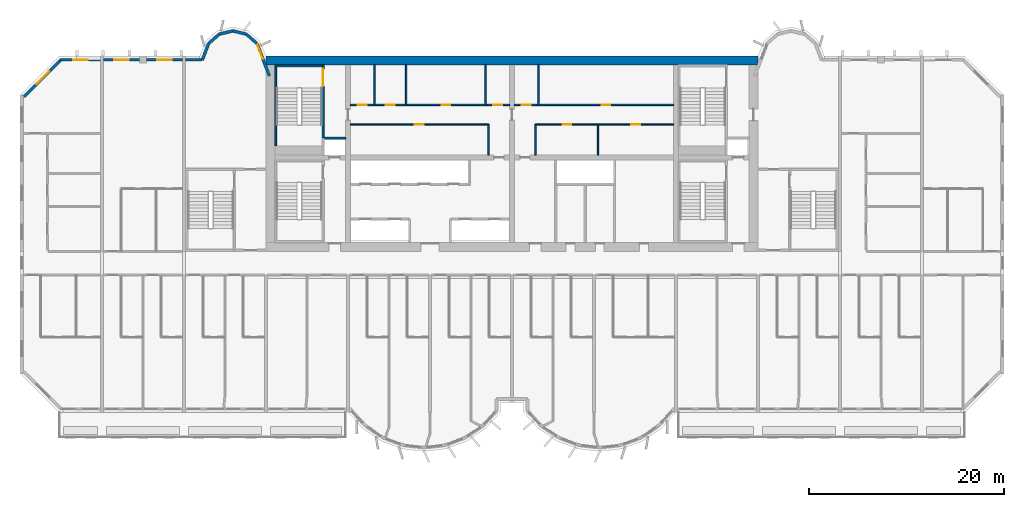
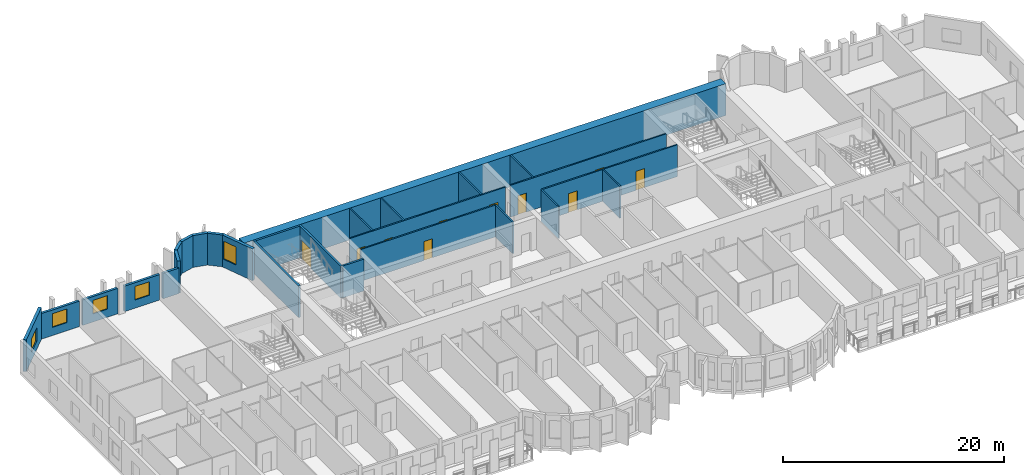
# One storey, part 7 of 14: 27 walls, 10 doors, 5 windows, 15 openings.
"""IFC4 building model written with IfcOpenShell, lengths in metres."""

import ifcopenshell
import ifcopenshell.guid

model = None  # the IFC model being written
_history = None  # IfcOwnerHistory: only IFC2X3 demands one
_inside = {}  # id of a spatial element -> (the spatial element, [elements in it])
_under = {}  # id of a project, library or spatial element -> (it, [spatial elements below it])
_declared = {}  # id of a project -> (the project, [libraries it declares])
_typed = {}  # id of a type object -> (the type object, [elements of that type])
_made_of = {}  # id of a material, layer set ... -> (it, [elements and type objects made of it])


def new_model(schema):
    """Start an empty IFC model of exactly this schema.

    Asked for "IFC4X3", IfcOpenShell would pick the latest addendum, in which some entities
    have other attributes; the version numbers below select the first issue.
    IFC2X3 requires an IfcOwnerHistory on every rooted entity: one is made here for all.
    """
    global model, _history
    if schema == "IFC4X3":
        model = ifcopenshell.file(schema_version=(4, 3, 0, 0))
    else:
        model = ifcopenshell.file(schema=schema)
    _inside.clear()
    _under.clear()
    _declared.clear()
    _typed.clear()
    _made_of.clear()
    _history = None
    if model.schema == "IFC2X3":
        org = make("IfcOrganization", Name="unknown")
        user = make(
            "IfcPersonAndOrganization",
            ThePerson=make("IfcPerson", FamilyName="unknown"),
            TheOrganization=org,
        )
        app = make(
            "IfcApplication",
            ApplicationDeveloper=org,
            Version="unknown",
            ApplicationFullName="unknown",
            ApplicationIdentifier="unknown",
        )
        _history = make(
            "IfcOwnerHistory",
            OwningUser=user,
            OwningApplication=app,
            ChangeAction="ADDED",
            CreationDate=0,
        )
    return model


def make(cls, **values):
    """One entity of the class cls with the attributes given. An attribute that is None is left unset."""
    return model.create_entity(
        cls, **{name: value for name, value in values.items() if value is not None}
    )


def rooted(cls, **values):
    """An entity with a GlobalId (a new one), such as an element, a storey or a relation."""
    return make(cls, GlobalId=ifcopenshell.guid.new(), OwnerHistory=_history, **values)


def si_unit(unit_type, name, prefix=None):
    """IfcSIUnit, for example si_unit("LENGTHUNIT", "METRE", prefix="MILLI")."""
    return make("IfcSIUnit", UnitType=unit_type, Prefix=prefix, Name=name)


def assignment(units):
    """IfcUnitAssignment: the units of a project."""
    return None if units is None else make("IfcUnitAssignment", Units=units)


def point(xyz):
    """IfcCartesianPoint."""
    return None if xyz is None else make("IfcCartesianPoint", Coordinates=xyz)


def direction(xyz):
    """IfcDirection."""
    return None if xyz is None else make("IfcDirection", DirectionRatios=xyz)


def frame(location, z_axis=None, x_axis=None):
    """IfcAxis2Placement3D, a coordinate frame: its origin and axes. An axis left out is left unset."""
    return make(
        "IfcAxis2Placement3D",
        Location=point(location),
        Axis=direction(z_axis),
        RefDirection=direction(x_axis),
    )


def frame_2d(location, x_axis=None):
    """IfcAxis2Placement2D, a coordinate frame in the plane: its origin and x axis."""
    return make(
        "IfcAxis2Placement2D", Location=point(location), RefDirection=direction(x_axis)
    )


def origin():
    """The frame at (0, 0, 0) with its axes left unset."""
    return frame((0.0, 0.0, 0.0))


def place(relative_to, where):
    """IfcLocalPlacement: puts the frame where relative to a parent placement (None: the world)."""
    return make(
        "IfcLocalPlacement", PlacementRelTo=relative_to, RelativePlacement=where
    )


def context(
    kind, dimensions, precision=None, world=None, true_north=None, identifier=None
):
    """IfcGeometricRepresentationContext, for example the 3D "Model" context."""
    return make(
        "IfcGeometricRepresentationContext",
        ContextIdentifier=identifier,
        ContextType=kind,
        CoordinateSpaceDimension=dimensions,
        Precision=precision,
        WorldCoordinateSystem=world,
        TrueNorth=true_north,
    )


def subcontext(parent, identifier, kind, view, scale=None):
    """IfcGeometricRepresentationSubContext, for example "Body" below "Model"."""
    return make(
        "IfcGeometricRepresentationSubContext",
        ContextIdentifier=identifier,
        ContextType=kind,
        ParentContext=parent,
        TargetScale=scale,
        TargetView=view,
    )


def project(units=None, contexts=None):
    """IfcProject with its units and contexts."""
    return rooted(
        "IfcProject",
        Name="project",
        RepresentationContexts=contexts,
        UnitsInContext=assignment(units),
    )


def spatial(cls, under=None, at=None, **own):
    """A site, building, storey or space (cls), placed at a placement, below another one or the project."""
    s = rooted(cls, ObjectPlacement=at, **own)
    if under is not None:
        _under.setdefault(under.id(), (under, []))[1].append(s)
    return s


def profile(cls, at=None, kind="AREA", **sizes):
    """A parametric profile (cls). Its sizes go by their IFC names, for example OverallWidth=200.0."""
    return make(cls, ProfileType=kind, Position=at, **sizes)


def rectangle(**sizes):
    """IfcRectangleProfileDef."""
    return profile("IfcRectangleProfileDef", **sizes)


def extrude(swept, where, along, depth):
    """IfcExtrudedAreaSolid: the profile swept, set in the frame where, extruded along a direction by depth."""
    return make(
        "IfcExtrudedAreaSolid",
        SweptArea=swept,
        Position=where,
        ExtrudedDirection=direction(along),
        Depth=depth,
    )


def shape(context_of_items, identifier, shape_type, items):
    """IfcShapeRepresentation: the items that make up one representation, for example the "Body"."""
    return make(
        "IfcShapeRepresentation",
        ContextOfItems=context_of_items,
        RepresentationIdentifier=identifier,
        RepresentationType=shape_type,
        Items=items,
    )


def source(mapping_origin, context_of_items, identifier, shape_type, items):
    """IfcRepresentationMap: a shape defined once, which mapped items show again and again."""
    return make(
        "IfcRepresentationMap",
        MappingOrigin=mapping_origin,
        MappedRepresentation=shape(context_of_items, identifier, shape_type, items),
    )


def transform(
    local_origin,
    x_axis=None,
    y_axis=None,
    z_axis=None,
    scale=None,
    scale2=None,
    scale3=None,
    uniform=True,
):
    """IfcCartesianTransformationOperator3D, or its non-uniform kind. x_axis, y_axis, z_axis: its Axis1, 2, 3."""
    if uniform:
        return make(
            "IfcCartesianTransformationOperator3D",
            Axis1=direction(x_axis),
            Axis2=direction(y_axis),
            LocalOrigin=point(local_origin),
            Scale=scale,
            Axis3=direction(z_axis),
        )
    return make(
        "IfcCartesianTransformationOperator3DnonUniform",
        Axis1=direction(x_axis),
        Axis2=direction(y_axis),
        LocalOrigin=point(local_origin),
        Scale=scale,
        Axis3=direction(z_axis),
        Scale2=scale2,
        Scale3=scale3,
    )


def mapped(mapping_source, mapping_target):
    """IfcMappedItem: shows the shape of a source again, moved by a transform."""
    return make(
        "IfcMappedItem", MappingSource=mapping_source, MappingTarget=mapping_target
    )


def material(Name=None, Category=None):
    """IfcMaterial."""
    return make("IfcMaterial", Name=Name, Category=Category)


def layer(
    of_material, thickness, ventilated=None, Name=None, Category=None, Priority=None
):
    """IfcMaterialLayer: one layer of a wall or slab, of a material (None: an air gap)."""
    return make(
        "IfcMaterialLayer",
        Material=of_material,
        LayerThickness=thickness,
        IsVentilated=ventilated,
        Name=Name,
        Category=Category,
        Priority=Priority,
    )


def layer_set(layers, Name=None):
    """IfcMaterialLayerSet."""
    return make("IfcMaterialLayerSet", MaterialLayers=layers, LayerSetName=Name)


def made_of(thing, what):
    """Note that an element or type object is made of a material, layer set ...; save() writes the relation."""
    if what is not None:
        _made_of.setdefault(what.id(), (what, []))[1].append(thing)
    return thing


def type_object(cls, material=None, **own):
    """A type object (cls), such as IfcWallType, which elements share."""
    return made_of(rooted(cls, **own), material)


def element(
    cls,
    number,
    at=None,
    inside=None,
    cuts=None,
    type_object=None,
    material=None,
    context=None,
    identifier="Body",
    shape_type=None,
    held_by="IfcProductDefinitionShape",
    body=None,
    shapes=None,
    **own,
):
    """One element of the class cls, such as IfcWall. Its Tag is "e" and its number.

    at: its placement. inside: the storey or other place that contains it. cuts: it is an
    opening in that element (IfcRelVoidsElement). A single representation is given by context,
    identifier, shape_type and body (its items); several are given by shapes. held_by: the class
    of the entity that holds the representations. save() writes the other relations.
    """
    e = rooted(cls, Tag="e%d" % number, ObjectPlacement=at, **own)
    if body is not None:
        shapes = [shape(context, identifier, shape_type, body)]
    if shapes is not None:
        e.Representation = make(held_by, Representations=shapes)
    if inside is not None:
        _inside.setdefault(inside.id(), (inside, []))[1].append(e)
    if cuts is not None:
        rooted(
            "IfcRelVoidsElement", RelatingBuildingElement=cuts, RelatedOpeningElement=e
        )
    if type_object is not None:
        _typed.setdefault(type_object.id(), (type_object, []))[1].append(e)
    return made_of(e, material)


def fill(opening, filler):
    """IfcRelFillsElement: the door or window that sits in an opening."""
    return rooted(
        "IfcRelFillsElement",
        RelatingOpeningElement=opening,
        RelatedBuildingElement=filler,
    )


def aggregate(whole, parts):
    """IfcRelAggregates: a whole, such as a stair, and the parts it consists of."""
    return rooted("IfcRelAggregates", RelatingObject=whole, RelatedObjects=parts)


def save(model, path):
    """Write the relations noted so far, then the file.

    IfcRelAggregates (storeys below a building ...), IfcRelContainedInSpatialStructure (elements
    in a storey), IfcRelDefinesByType, IfcRelAssociatesMaterial and IfcRelDeclares: one each for
    every whole, place, type object, material and project.
    """
    for whole, parts in _under.values():
        aggregate(whole, parts)
    for where, things in _inside.values():
        rooted(
            "IfcRelContainedInSpatialStructure",
            RelatedElements=things,
            RelatingStructure=where,
        )
    for kind, things in _typed.values():
        rooted("IfcRelDefinesByType", RelatedObjects=things, RelatingType=kind)
    for what, things in _made_of.values():
        rooted("IfcRelAssociatesMaterial", RelatedObjects=things, RelatingMaterial=what)
    for by, libraries in _declared.values():
        rooted("IfcRelDeclares", RelatingContext=by, RelatedDefinitions=libraries)
    model.write(path)


model = new_model("IFC4")

# Units and contexts
model_context = context("Model", 3, precision=1e-05, world=origin(), true_north=direction((0.0, 1.0)))
body_context = subcontext(model_context, "Body", "Model", "MODEL_VIEW")
ifc_project = project(units=[si_unit("LENGTHUNIT", "METRE"), si_unit("AREAUNIT", "SQUARE_METRE"), si_unit("VOLUMEUNIT", "CUBIC_METRE"), si_unit("PLANEANGLEUNIT", "RADIAN"), si_unit("MASSUNIT", "GRAM", prefix="KILO")], contexts=[model_context])

# Site, building, storey
site_placement = place(None, origin())
site = spatial("IfcSite", under=ifc_project, at=site_placement, CompositionType="ELEMENT")
building_placement = place(site_placement, origin())
building = spatial("IfcBuilding", under=site, at=building_placement, Name="Vanashikhar Sky Hotel", CompositionType="ELEMENT")
storey_placement = place(building_placement, frame((0.0, 0.0, 125.60009765625)))
storey = spatial("IfcBuildingStorey", under=building, at=storey_placement, Name="L30", CompositionType="ELEMENT", Elevation=125.60009765625)

# Wall
ifc_material_1 = material(Name="Concrete M70", Category="concrete")
ifc_layer_1 = layer(ifc_material_1, 0.89990234375)
ifc_layer_set_1 = layer_set([ifc_layer_1], Name="RC core shell wall 900 Concrete M70")
wall_type_1 = type_object("IfcWallType", Name="RC core shell wall 900 Concrete M70", PredefinedType="SHEAR", material=ifc_layer_set_1)
shared_shape_1 = source(origin(), body_context, "Body", "SweptSolid", [
    extrude(rectangle(XDim=50.400146484375, YDim=0.89990234375, at=frame_2d((25.2001953125, 0.0))), origin(), (0.0, 0.0, 1.0), 3.52001953125),
])
wall_1_placement = place(storey_placement, frame((25.199951171875, 41.550048828125, 0.0), z_axis=(0.0, 0.0, 1.0), x_axis=(1.0, 0.0, 0.0)))
element("IfcWall", 1, at=wall_1_placement, inside=storey, type_object=wall_type_1, Name="KW-L30-KN", PredefinedType="SHEAR", context=body_context, shape_type="MappedRepresentation", body=[
    mapped(shared_shape_1, transform((0.0, 0.0, 0.0), scale=1.0)),
])

# Wall, opening, window
ifc_material_2 = material(Name="Concrete M50", Category="concrete")
ifc_layer_2 = layer(ifc_material_2, 0.300048828125)
ifc_layer_set_2 = layer_set([ifc_layer_2], Name="Lobe wall 300")
wall_type_2 = type_object("IfcWallType", Name="Lobe wall 300", PredefinedType="SOLIDWALL", material=ifc_layer_set_2)
shared_shape_2 = source(origin(), body_context, "Body", "SweptSolid", [
    extrude(rectangle(XDim=5.32568359375, YDim=0.300048828125, at=frame_2d((2.662841796875, 0.0))), origin(), (0.0, 0.0, 1.0), 3.52001953125),
])
wall_2_placement = place(storey_placement, frame((4.165771484375, 41.60009765625, 0.0), z_axis=(0.0, 0.0, 1.0), x_axis=(-0.707106781187, -0.707106781187, 0.0)))
wall_2 = element("IfcWall", 2, at=wall_2_placement, inside=storey, type_object=wall_type_2, Name="Corner wall", PredefinedType="SOLIDWALL", context=body_context, shape_type="MappedRepresentation", body=[
    mapped(shared_shape_2, transform((0.0, 0.0, 0.0), scale=1.0)),
])
shared_shape_3 = source(origin(), body_context, "Body", "SweptSolid", [
    extrude(rectangle(XDim=1.800048828125, YDim=1.5, at=frame_2d((0.89990234375, 0.75))), frame((0.0, 0.16015625, 0.0), z_axis=(0.0, -1.0, 0.0), x_axis=(1.0, 0.0, 0.0)), (0.0, 0.0, 1.0), 0.320068359375),
])
opening_1_placement = place(wall_2_placement, frame((1.671875, 0.0, 0.89990234375)))
opening_1 = element("IfcOpeningElement", 3, at=opening_1_placement, cuts=wall_2, Name="Opening WN-4", PredefinedType="OPENING", context=body_context, shape_type="MappedRepresentation", body=[
    mapped(shared_shape_3, transform((0.0, 0.0, 0.0), scale=1.0)),
])
ifc_material_3 = material(Name="Glass", Category="glass")
window_type_1 = type_object("IfcWindowType", Name="Corner window 1800 x 1500", PartitioningType="SINGLE_PANEL", PredefinedType="WINDOW", material=ifc_material_3)
shared_shape_4 = source(origin(), body_context, "Body", "SweptSolid", [
    extrude(rectangle(XDim=1.800048828125, YDim=1.5, at=frame_2d((0.89990234375, 0.75))), frame((0.0, 0.030029296875, 0.0), z_axis=(0.0, -1.0, 0.0), x_axis=(1.0, 0.0, 0.0)), (0.0, 0.0, 1.0), 0.06005859375),
])
window_1_placement = place(opening_1_placement, origin())
window_1 = element("IfcWindow", 4, at=window_1_placement, inside=storey, type_object=window_type_1, Name="Window WN-4", OverallHeight=1.5, OverallWidth=1.800048828125, PartitioningType="SINGLE_PANEL", PredefinedType="WINDOW", context=body_context, shape_type="MappedRepresentation", body=[
    mapped(shared_shape_4, transform((0.0, 0.0, 0.0), scale=1.0)),
])
fill(opening_1, window_1)

shared_shape_5 = source(origin(), body_context, "Body", "SweptSolid", [
    extrude(rectangle(XDim=3.55908203125, YDim=0.300048828125, at=frame_2d((1.779541015625, 0.0))), origin(), (0.0, 0.0, 1.0), 3.52001953125),
])
wall_3_placement = place(storey_placement, frame((25.550048828125, 39.968505859375, 0.0), z_axis=(0.0, 0.0, 1.0), x_axis=(-0.35779745313, 0.933799219604, 0.0)))
wall_3 = element("IfcWall", 5, at=wall_3_placement, inside=storey, type_object=wall_type_2, Name="Lobe wall", PredefinedType="SOLIDWALL", context=body_context, shape_type="MappedRepresentation", body=[
    mapped(shared_shape_5, transform((0.0, 0.0, 0.0), scale=1.0)),
])
shared_shape_6 = source(origin(), body_context, "Body", "SweptSolid", [
    extrude(rectangle(XDim=1.5, YDim=2.0, at=frame_2d((0.75, 1.0))), frame((0.0, 0.16015625, 0.0), z_axis=(0.0, -1.0, 0.0), x_axis=(1.0, 0.0, 0.0)), (0.0, 0.0, 1.0), 0.320068359375),
])
opening_2_placement = place(wall_3_placement, frame((1.9033203125, 0.0, 0.89990234375)))
opening_2 = element("IfcOpeningElement", 6, at=opening_2_placement, cuts=wall_3, Name="Opening WN-2", PredefinedType="OPENING", context=body_context, shape_type="MappedRepresentation", body=[
    mapped(shared_shape_6, transform((0.0, 0.0, 0.0), scale=1.0)),
])
window_type_2 = type_object("IfcWindowType", Name="Lobe window 1500 x 2000", PartitioningType="SINGLE_PANEL", PredefinedType="WINDOW", material=ifc_material_3)
shared_shape_7 = source(origin(), body_context, "Body", "SweptSolid", [
    extrude(rectangle(XDim=1.5, YDim=2.0, at=frame_2d((0.75, 1.0))), frame((0.0, 0.030029296875, 0.0), z_axis=(0.0, -1.0, 0.0), x_axis=(1.0, 0.0, 0.0)), (0.0, 0.0, 1.0), 0.06005859375),
])
window_2_placement = place(opening_2_placement, origin())
window_2 = element("IfcWindow", 7, at=window_2_placement, inside=storey, type_object=window_type_2, Name="Window WN-2", OverallHeight=2.0, OverallWidth=1.5, PartitioningType="SINGLE_PANEL", PredefinedType="WINDOW", context=body_context, shape_type="MappedRepresentation", body=[
    mapped(shared_shape_7, transform((0.0, 0.0, 0.0), scale=1.0)),
])
fill(opening_2, window_2)

# Walls
shared_shape_8 = source(origin(), body_context, "Body", "SweptSolid", [
    extrude(rectangle(XDim=1.440185546875, YDim=0.300048828125, at=frame_2d((0.72021484375, 0.0))), origin(), (0.0, 0.0, 1.0), 3.52001953125),
])
wall_4_placement = place(storey_placement, frame((24.276611328125, 43.2919921875, 0.0), z_axis=(0.0, 0.0, 1.0), x_axis=(-0.749649827867, 0.661834673902, 0.0)))
element("IfcWall", 8, at=wall_4_placement, inside=storey, type_object=wall_type_2, Name="Lobe wall", PredefinedType="SOLIDWALL", context=body_context, shape_type="MappedRepresentation", body=[
    mapped(shared_shape_8, transform((0.0, 0.0, 0.0), scale=1.0)),
])
shared_shape_9 = source(origin(), body_context, "Body", "SweptSolid", [
    extrude(rectangle(XDim=1.4384765625, YDim=0.300048828125, at=frame_2d((0.71923828125, 0.0))), origin(), (0.0, 0.0, 1.0), 3.52001953125),
])
wall_5_placement = place(storey_placement, frame((23.197021484375, 44.2451171875, 0.0), z_axis=(0.0, 0.0, 1.0), x_axis=(-0.971152283879, 0.238460146601, 0.0)))
element("IfcWall", 9, at=wall_5_placement, inside=storey, type_object=wall_type_2, Name="Lobe wall", PredefinedType="SOLIDWALL", context=body_context, shape_type="MappedRepresentation", body=[
    mapped(shared_shape_9, transform((0.0, 0.0, 0.0), scale=1.0)),
])
shared_shape_10 = source(origin(), body_context, "Body", "SweptSolid", [
    extrude(rectangle(XDim=1.438720703125, YDim=0.300048828125, at=frame_2d((0.71923828125, 0.0))), origin(), (0.0, 0.0, 1.0), 3.52001953125),
])
wall_6_placement = place(storey_placement, frame((21.800048828125, 44.588134765625, 0.0), z_axis=(0.0, 0.0, 1.0), x_axis=(-0.971161932466, -0.238420848351, 0.0)))
element("IfcWall", 10, at=wall_6_placement, inside=storey, type_object=wall_type_2, Name="Lobe wall", PredefinedType="SOLIDWALL", context=body_context, shape_type="MappedRepresentation", body=[
    mapped(shared_shape_10, transform((0.0, 0.0, 0.0), scale=1.0)),
])
shared_shape_11 = source(origin(), body_context, "Body", "SweptSolid", [
    extrude(rectangle(XDim=1.43994140625, YDim=0.300048828125, at=frame_2d((0.719970703125, 0.0))), origin(), (0.0, 0.0, 1.0), 3.52001953125),
])
wall_7_placement = place(storey_placement, frame((20.40283203125, 44.2451171875, 0.0), z_axis=(0.0, 0.0, 1.0), x_axis=(-0.74957555648, -0.661918790432, 0.0)))
element("IfcWall", 11, at=wall_7_placement, inside=storey, type_object=wall_type_2, Name="Lobe wall", PredefinedType="SOLIDWALL", context=body_context, shape_type="MappedRepresentation", body=[
    mapped(shared_shape_11, transform((0.0, 0.0, 0.0), scale=1.0)),
])
shared_shape_12 = source(origin(), body_context, "Body", "SweptSolid", [
    extrude(rectangle(XDim=1.81201171875, YDim=0.300048828125, at=frame_2d((0.906005859375, 0.0))), origin(), (0.0, 0.0, 1.0), 3.52001953125),
])
wall_8_placement = place(storey_placement, frame((19.323486328125, 43.2919921875, 0.0), z_axis=(0.0, 0.0, 1.0), x_axis=(-0.357877270961, -0.93376863244, 0.0)))
element("IfcWall", 12, at=wall_8_placement, inside=storey, type_object=wall_type_2, Name="Lobe wall", PredefinedType="SOLIDWALL", context=body_context, shape_type="MappedRepresentation", body=[
    mapped(shared_shape_12, transform((0.0, 0.0, 0.0), scale=1.0)),
])

# Wall, opening, window
ifc_layer_3 = layer(ifc_material_2, 0.25)
ifc_layer_set_3 = layer_set([ifc_layer_3], Name="Rear and end board-marked wall 250")
wall_type_3 = type_object("IfcWallType", Name="Rear and end board-marked wall 250", PredefinedType="SOLIDWALL", material=ifc_layer_set_3)
shared_shape_13 = source(origin(), body_context, "Body", "SweptSolid", [
    extrude(rectangle(XDim=4.06982421875, YDim=0.25, at=frame_2d((2.034912109375, 0.0))), origin(), (0.0, 0.0, 1.0), 2.81982421875),
])
wall_9_placement = place(storey_placement, frame((8.22509765625, 41.625, 0.0), z_axis=(0.0, 0.0, 1.0), x_axis=(-1.0, 0.0, 0.0)))
wall_9 = element("IfcWall", 13, at=wall_9_placement, inside=storey, type_object=wall_type_3, Name="Rear board-marked wall", PredefinedType="SOLIDWALL", context=body_context, shape_type="MappedRepresentation", body=[
    mapped(shared_shape_13, transform((0.0, 0.0, 0.0), scale=1.0)),
])
shared_shape_14 = source(origin(), body_context, "Body", "SweptSolid", [
    extrude(rectangle(XDim=1.5, YDim=1.5, at=frame_2d((0.75, 0.75))), frame((0.0, 0.135009765625, 0.0), z_axis=(0.0, -1.0, 0.0), x_axis=(1.0, 0.0, 0.0)), (0.0, 0.0, 1.0), 0.27001953125),
])
opening_3_placement = place(wall_9_placement, frame((1.284912109375, 0.0, 0.89990234375)))
opening_3 = element("IfcOpeningElement", 14, at=opening_3_placement, cuts=wall_9, Name="Opening WN-1", PredefinedType="OPENING", context=body_context, shape_type="MappedRepresentation", body=[
    mapped(shared_shape_14, transform((0.0, 0.0, 0.0), scale=1.0)),
])
window_type_3 = type_object("IfcWindowType", Name="Window 1500 x 1500", PartitioningType="SINGLE_PANEL", PredefinedType="WINDOW", material=ifc_material_3)
shared_shape_15 = source(origin(), body_context, "Body", "SweptSolid", [
    extrude(rectangle(XDim=1.5, YDim=1.5, at=frame_2d((0.75, 0.75))), frame((0.0, 0.030029296875, 0.0), z_axis=(0.0, -1.0, 0.0), x_axis=(1.0, 0.0, 0.0)), (0.0, 0.0, 1.0), 0.06005859375),
])
window_3_placement = place(opening_3_placement, origin())
window_3 = element("IfcWindow", 15, at=window_3_placement, inside=storey, type_object=window_type_3, Name="Window WN-1", OverallHeight=1.5, OverallWidth=1.5, PartitioningType="SINGLE_PANEL", PredefinedType="WINDOW", context=body_context, shape_type="MappedRepresentation", body=[
    mapped(shared_shape_15, transform((0.0, 0.0, 0.0), scale=1.0)),
])
fill(opening_3, window_3)

shared_shape_16 = source(origin(), body_context, "Body", "SweptSolid", [
    extrude(rectangle(XDim=3.675048828125, YDim=0.25, at=frame_2d((1.83740234375, 0.0))), origin(), (0.0, 0.0, 1.0), 2.81982421875),
])
wall_10_placement = place(storey_placement, frame((12.25, 41.625, 0.0), z_axis=(0.0, 0.0, 1.0), x_axis=(-1.0, 0.0, 0.0)))
wall_10 = element("IfcWall", 16, at=wall_10_placement, inside=storey, type_object=wall_type_3, Name="Rear board-marked wall", PredefinedType="SOLIDWALL", context=body_context, shape_type="MappedRepresentation", body=[
    mapped(shared_shape_16, transform((0.0, 0.0, 0.0), scale=1.0)),
])
opening_4_placement = place(wall_10_placement, frame((1.08740234375, 0.0, 0.89990234375)))
opening_4 = element("IfcOpeningElement", 17, at=opening_4_placement, cuts=wall_10, Name="Opening WN-1", PredefinedType="OPENING", context=body_context, shape_type="MappedRepresentation", body=[
    mapped(shared_shape_14, transform((0.0, 0.0, 0.0), scale=1.0)),
])
window_4_placement = place(opening_4_placement, origin())
window_4 = element("IfcWindow", 18, at=window_4_placement, inside=storey, type_object=window_type_3, Name="Window WN-1", OverallHeight=1.5, OverallWidth=1.5, PartitioningType="SINGLE_PANEL", PredefinedType="WINDOW", context=body_context, shape_type="MappedRepresentation", body=[
    mapped(shared_shape_15, transform((0.0, 0.0, 0.0), scale=1.0)),
])
fill(opening_4, window_4)

wall_11_placement = place(storey_placement, frame((16.625, 41.625, 0.0), z_axis=(0.0, 0.0, 1.0), x_axis=(-1.0, 0.0, 0.0)))
wall_11 = element("IfcWall", 19, at=wall_11_placement, inside=storey, type_object=wall_type_3, Name="Rear board-marked wall", PredefinedType="SOLIDWALL", context=body_context, shape_type="MappedRepresentation", body=[
    mapped(shared_shape_16, transform((0.0, 0.0, 0.0), scale=1.0)),
])
opening_5_placement = place(wall_11_placement, frame((1.08740234375, 0.0, 0.89990234375)))
opening_5 = element("IfcOpeningElement", 20, at=opening_5_placement, cuts=wall_11, Name="Opening WN-1", PredefinedType="OPENING", context=body_context, shape_type="MappedRepresentation", body=[
    mapped(shared_shape_14, transform((0.0, 0.0, 0.0), scale=1.0)),
])
window_5_placement = place(opening_5_placement, origin())
window_5 = element("IfcWindow", 21, at=window_5_placement, inside=storey, type_object=window_type_3, Name="Window WN-1", OverallHeight=1.5, OverallWidth=1.5, PartitioningType="SINGLE_PANEL", PredefinedType="WINDOW", context=body_context, shape_type="MappedRepresentation", body=[
    mapped(shared_shape_15, transform((0.0, 0.0, 0.0), scale=1.0)),
])
fill(opening_5, window_5)

# Walls
shared_shape_17 = source(origin(), body_context, "Body", "SweptSolid", [
    extrude(rectangle(XDim=1.682861328125, YDim=0.25, at=frame_2d((0.84130859375, 0.0))), origin(), (0.0, 0.0, 1.0), 2.81982421875),
])
wall_12_placement = place(storey_placement, frame((18.657958984375, 41.625, 0.0), z_axis=(0.0, 0.0, 1.0), x_axis=(-1.0, 0.0, 0.0)))
element("IfcWall", 22, at=wall_12_placement, inside=storey, type_object=wall_type_3, Name="Rear board-marked wall", PredefinedType="SOLIDWALL", context=body_context, shape_type="MappedRepresentation", body=[
    mapped(shared_shape_17, transform((0.0, 0.0, 0.0), scale=1.0)),
])
ifc_material_4 = material(Name="Gypsum board partition")
ifc_layer_4 = layer(ifc_material_4, 0.14990234375)
ifc_layer_set_4 = layer_set([ifc_layer_4], Name="Service partition 150")
wall_type_4 = type_object("IfcWallType", Name="Service partition 150", PredefinedType="PARTITIONING", material=ifc_layer_set_4)
shared_shape_18 = source(origin(), body_context, "Body", "SweptSolid", [
    extrude(rectangle(XDim=3.14990234375, YDim=0.14990234375, at=frame_2d((1.574951171875, 0.0))), origin(), (0.0, 0.0, 1.0), 3.52001953125),
])
for number, where, z_axis, x_axis, name in (
    (23, (48.0, 31.85009765625, 0.0), (0.0, 0.0, 1.0), (0.0, 1.0, 0.0), "Service partition 150"),
    (24, (52.800048828125, 31.85009765625, 0.0), (0.0, 0.0, 1.0), (0.0, 1.0, 0.0), "Service partition 150"),
    (25, (59.208984375, 31.85009765625, 0.0), (0.0, 0.0, 1.0), (0.0, 1.0, 0.0), "Service partition 150"),
):
    element("IfcWall", number, at=place(storey_placement, frame(where, z_axis=z_axis, x_axis=x_axis)), inside=storey, type_object=wall_type_4, Name=name, PredefinedType="PARTITIONING", context=body_context, shape_type="MappedRepresentation", body=[
        mapped(shared_shape_18, transform((0.0, 0.0, 0.0), scale=1.0)),
    ])

# Wall, opening, door
shared_shape_19 = source(origin(), body_context, "Body", "SweptSolid", [
    extrude(rectangle(XDim=14.14990234375, YDim=0.14990234375, at=frame_2d((7.074951171875, 0.0))), origin(), (0.0, 0.0, 1.0), 3.52001953125),
])
wall_13_placement = place(storey_placement, frame((33.85009765625, 35.0, 0.0), z_axis=(0.0, 0.0, 1.0), x_axis=(1.0, 0.0, 0.0)))
wall_13 = element("IfcWall", 26, at=wall_13_placement, inside=storey, type_object=wall_type_4, Name="Service partition 150", PredefinedType="PARTITIONING", context=body_context, shape_type="MappedRepresentation", body=[
    mapped(shared_shape_19, transform((0.0, 0.0, 0.0), scale=1.0)),
])
shared_shape_20 = source(origin(), body_context, "Body", "SweptSolid", [
    extrude(rectangle(XDim=0.89990234375, YDim=2.10009765625, at=frame_2d((0.449951171875, 1.050048828125))), frame((0.0, 0.0849609375, 0.0), z_axis=(0.0, -1.0, 0.0), x_axis=(1.0, 0.0, 0.0)), (0.0, 0.0, 1.0), 0.169921875),
])
opening_6_placement = place(wall_13_placement, frame((6.587890625, 0.0, 0.0)))
opening_6 = element("IfcOpeningElement", 27, at=opening_6_placement, cuts=wall_13, Name="Opening DC-4-A", PredefinedType="OPENING", context=body_context, shape_type="MappedRepresentation", body=[
    mapped(shared_shape_20, transform((0.0, 0.0, 0.0), scale=1.0)),
])
ifc_material_5 = material(Name="Steel", Category="steel")
door_type_1 = type_object("IfcDoorType", Name="Service door 900 FD60", OperationType="NOTDEFINED", PredefinedType="DOOR", material=ifc_material_5)
shared_shape_21 = source(origin(), body_context, "Body", "SweptSolid", [
    extrude(rectangle(XDim=0.89990234375, YDim=2.10009765625, at=frame_2d((0.449951171875, 1.050048828125))), frame((0.0, 0.02490234375, 0.0), z_axis=(0.0, -1.0, 0.0), x_axis=(1.0, 0.0, 0.0)), (0.0, 0.0, 1.0), 0.050048828125),
])
door_1_placement = place(opening_6_placement, origin())
door_1 = element("IfcDoor", 28, at=door_1_placement, inside=storey, type_object=door_type_1, Name="Service door 900 FD60", OperationType="SINGLE_SWING_RIGHT", OverallHeight=2.10009765625, OverallWidth=0.89990234375, PredefinedType="DOOR", context=body_context, shape_type="MappedRepresentation", body=[
    mapped(shared_shape_21, transform((0.0, 0.0, 0.0), scale=1.0)),
])
fill(opening_6, door_1)

# Wall, openings, doors
wall_14_placement = place(storey_placement, frame((66.949951171875, 35.0, 0.0), z_axis=(0.0, 0.0, 1.0), x_axis=(-1.0, 0.0, 0.0)))
wall_14 = element("IfcWall", 29, at=wall_14_placement, inside=storey, type_object=wall_type_4, Name="Service partition 150", PredefinedType="PARTITIONING", context=body_context, shape_type="MappedRepresentation", body=[
    mapped(shared_shape_19, transform((0.0, 0.0, 0.0), scale=1.0)),
])
opening_7_placement = place(wall_14_placement, frame((3.4208984375, 0.0, 0.0)))
opening_7 = element("IfcOpeningElement", 30, at=opening_7_placement, cuts=wall_14, Name="Opening DC-4-A", PredefinedType="OPENING", context=body_context, shape_type="MappedRepresentation", body=[
    mapped(shared_shape_20, transform((0.0, 0.0, 0.0), scale=1.0)),
])
opening_8_placement = place(wall_14_placement, frame((10.4580078125, 0.0, 0.0)))
opening_8 = element("IfcOpeningElement", 31, at=opening_8_placement, cuts=wall_14, Name="Opening DC-4-A", PredefinedType="OPENING", context=body_context, shape_type="MappedRepresentation", body=[
    mapped(shared_shape_20, transform((0.0, 0.0, 0.0), scale=1.0)),
])
door_2_placement = place(opening_7_placement, origin())
door_2 = element("IfcDoor", 32, at=door_2_placement, inside=storey, type_object=door_type_1, Name="Service door 900 FD60", OperationType="SINGLE_SWING_RIGHT", OverallHeight=2.10009765625, OverallWidth=0.89990234375, PredefinedType="DOOR", context=body_context, shape_type="MappedRepresentation", body=[
    mapped(shared_shape_21, transform((0.0, 0.0, 0.0), scale=1.0)),
])
fill(opening_7, door_2)
door_3_placement = place(opening_8_placement, origin())
door_3 = element("IfcDoor", 33, at=door_3_placement, inside=storey, type_object=door_type_1, Name="Service door 900 FD60", OperationType="SINGLE_SWING_RIGHT", OverallHeight=2.10009765625, OverallWidth=0.89990234375, PredefinedType="DOOR", context=body_context, shape_type="MappedRepresentation", body=[
    mapped(shared_shape_21, transform((0.0, 0.0, 0.0), scale=1.0)),
])
fill(opening_8, door_3)

shared_shape_22 = source(origin(), body_context, "Body", "SweptSolid", [
    extrude(rectangle(XDim=16.2998046875, YDim=0.14990234375, at=frame_2d((8.14990234375, 0.0))), origin(), (0.0, 0.0, 1.0), 3.52001953125),
])
wall_15_placement = place(storey_placement, frame((33.85009765625, 37.0, 0.0), z_axis=(0.0, 0.0, 1.0), x_axis=(1.0, 0.0, 0.0)))
wall_15 = element("IfcWall", 34, at=wall_15_placement, inside=storey, type_object=wall_type_4, Name="Service partition 150", PredefinedType="PARTITIONING", context=body_context, shape_type="MappedRepresentation", body=[
    mapped(shared_shape_22, transform((0.0, 0.0, 0.0), scale=1.0)),
])
opening_9_placement = place(wall_15_placement, frame((0.77294921875, 0.0, 0.0)))
opening_9 = element("IfcOpeningElement", 35, at=opening_9_placement, cuts=wall_15, Name="Opening DC-4-A", PredefinedType="OPENING", context=body_context, shape_type="MappedRepresentation", body=[
    mapped(shared_shape_20, transform((0.0, 0.0, 0.0), scale=1.0)),
])
opening_10_placement = place(wall_15_placement, frame((3.625, 0.0, 0.0)))
opening_10 = element("IfcOpeningElement", 36, at=opening_10_placement, cuts=wall_15, Name="Opening DC-4-A", PredefinedType="OPENING", context=body_context, shape_type="MappedRepresentation", body=[
    mapped(shared_shape_20, transform((0.0, 0.0, 0.0), scale=1.0)),
])
opening_11_placement = place(wall_15_placement, frame((9.330078125, 0.0, 0.0)))
opening_11 = element("IfcOpeningElement", 37, at=opening_11_placement, cuts=wall_15, Name="Opening DC-4-A", PredefinedType="OPENING", context=body_context, shape_type="MappedRepresentation", body=[
    mapped(shared_shape_20, transform((0.0, 0.0, 0.0), scale=1.0)),
])
opening_12_placement = place(wall_15_placement, frame((14.626953125, 0.0, 0.0)))
opening_12 = element("IfcOpeningElement", 38, at=opening_12_placement, cuts=wall_15, Name="Opening DC-4-A", PredefinedType="OPENING", context=body_context, shape_type="MappedRepresentation", body=[
    mapped(shared_shape_20, transform((0.0, 0.0, 0.0), scale=1.0)),
])
door_4_placement = place(opening_9_placement, origin())
door_4 = element("IfcDoor", 39, at=door_4_placement, inside=storey, type_object=door_type_1, Name="Service door 900 FD60", OperationType="SINGLE_SWING_LEFT", OverallHeight=2.10009765625, OverallWidth=0.89990234375, PredefinedType="DOOR", context=body_context, shape_type="MappedRepresentation", body=[
    mapped(shared_shape_21, transform((0.0, 0.0, 0.0), scale=1.0)),
])
fill(opening_9, door_4)
door_5_placement = place(opening_10_placement, origin())
door_5 = element("IfcDoor", 40, at=door_5_placement, inside=storey, type_object=door_type_1, Name="Service door 900 FD60", OperationType="SINGLE_SWING_RIGHT", OverallHeight=2.10009765625, OverallWidth=0.89990234375, PredefinedType="DOOR", context=body_context, shape_type="MappedRepresentation", body=[
    mapped(shared_shape_21, transform((0.0, 0.0, 0.0), scale=1.0)),
])
fill(opening_10, door_5)
door_6_placement = place(opening_11_placement, origin())
door_6 = element("IfcDoor", 41, at=door_6_placement, inside=storey, type_object=door_type_1, Name="Service door 900 FD60", OperationType="SINGLE_SWING_RIGHT", OverallHeight=2.10009765625, OverallWidth=0.89990234375, PredefinedType="DOOR", context=body_context, shape_type="MappedRepresentation", body=[
    mapped(shared_shape_21, transform((0.0, 0.0, 0.0), scale=1.0)),
])
fill(opening_11, door_6)
door_7_placement = place(opening_12_placement, origin())
door_7 = element("IfcDoor", 42, at=door_7_placement, inside=storey, type_object=door_type_1, Name="Service door 900 FD60", OperationType="SINGLE_SWING_RIGHT", OverallHeight=2.10009765625, OverallWidth=0.89990234375, PredefinedType="DOOR", context=body_context, shape_type="MappedRepresentation", body=[
    mapped(shared_shape_21, transform((0.0, 0.0, 0.0), scale=1.0)),
])
fill(opening_12, door_7)

# Walls
shared_shape_23 = source(origin(), body_context, "Body", "SweptSolid", [
    extrude(rectangle(XDim=4.10009765625, YDim=0.14990234375, at=frame_2d((2.050048828125, 0.0))), origin(), (0.0, 0.0, 1.0), 3.52001953125),
])
for number, where, z_axis, x_axis, name in (
    (43, (36.294921875, 37.0, 0.0), (0.0, 0.0, 1.0), (0.0, 1.0, 0.0), "Service partition 150"),
    (44, (39.554931640625, 37.0, 0.0), (0.0, 0.0, 1.0), (0.0, 1.0, 0.0), "Service partition 150"),
    (45, (47.705078125, 37.0, 0.0), (0.0, 0.0, 1.0), (0.0, 1.0, 0.0), "Service partition 150"),
    (46, (53.094970703125, 37.0, 0.0), (0.0, 0.0, 1.0), (0.0, 1.0, 0.0), "Service partition 150"),
):
    element("IfcWall", number, at=place(storey_placement, frame(where, z_axis=z_axis, x_axis=x_axis)), inside=storey, type_object=wall_type_4, Name=name, PredefinedType="PARTITIONING", context=body_context, shape_type="MappedRepresentation", body=[
        mapped(shared_shape_23, transform((0.0, 0.0, 0.0), scale=1.0)),
    ])

# Wall, openings, doors
shared_shape_24 = source(origin(), body_context, "Body", "SweptSolid", [
    extrude(rectangle(XDim=16.300048828125, YDim=0.14990234375, at=frame_2d((8.14990234375, 0.0))), origin(), (0.0, 0.0, 1.0), 3.52001953125),
])
wall_16_placement = place(storey_placement, frame((66.949951171875, 37.0, 0.0), z_axis=(0.0, 0.0, 1.0), x_axis=(-1.0, 0.0, 0.0)))
wall_16 = element("IfcWall", 47, at=wall_16_placement, inside=storey, type_object=wall_type_4, Name="Service partition 150", PredefinedType="PARTITIONING", context=body_context, shape_type="MappedRepresentation", body=[
    mapped(shared_shape_24, transform((0.0, 0.0, 0.0), scale=1.0)),
])
opening_13_placement = place(wall_16_placement, frame((6.47802734375, 0.0, 0.0)))
opening_13 = element("IfcOpeningElement", 48, at=opening_13_placement, cuts=wall_16, Name="Opening DC-4-A", PredefinedType="OPENING", context=body_context, shape_type="MappedRepresentation", body=[
    mapped(shared_shape_20, transform((0.0, 0.0, 0.0), scale=1.0)),
])
opening_14_placement = place(wall_16_placement, frame((14.626953125, 0.0, 0.0)))
opening_14 = element("IfcOpeningElement", 49, at=opening_14_placement, cuts=wall_16, Name="Opening DC-4-A", PredefinedType="OPENING", context=body_context, shape_type="MappedRepresentation", body=[
    mapped(shared_shape_20, transform((0.0, 0.0, 0.0), scale=1.0)),
])
door_8_placement = place(opening_13_placement, origin())
door_8 = element("IfcDoor", 50, at=door_8_placement, inside=storey, type_object=door_type_1, Name="Service door 900 FD60", OperationType="SINGLE_SWING_LEFT", OverallHeight=2.10009765625, OverallWidth=0.89990234375, PredefinedType="DOOR", context=body_context, shape_type="MappedRepresentation", body=[
    mapped(shared_shape_21, transform((0.0, 0.0, 0.0), scale=1.0)),
])
fill(opening_13, door_8)
door_9_placement = place(opening_14_placement, origin())
door_9 = element("IfcDoor", 51, at=door_9_placement, inside=storey, type_object=door_type_1, Name="Service door 900 FD60", OperationType="SINGLE_SWING_LEFT", OverallHeight=2.10009765625, OverallWidth=0.89990234375, PredefinedType="DOOR", context=body_context, shape_type="MappedRepresentation", body=[
    mapped(shared_shape_21, transform((0.0, 0.0, 0.0), scale=1.0)),
])
fill(opening_14, door_9)

# Wall
ifc_material_6 = material(Name="Concrete M40", Category="concrete")
ifc_layer_5 = layer(ifc_material_6, 0.199951171875)
ifc_layer_set_5 = layer_set([ifc_layer_5], Name="Shaft wall 200")
wall_type_5 = type_object("IfcWallType", Name="Shaft wall 200", PredefinedType="SOLIDWALL", material=ifc_layer_set_5)
shared_shape_25 = source(origin(), body_context, "Body", "SweptSolid", [
    extrude(rectangle(XDim=2.2001953125, YDim=0.199951171875, at=frame_2d((1.10009765625, 0.0))), origin(), (0.0, 0.0, 1.0), 3.52001953125),
])
wall_17_placement = place(storey_placement, frame((31.14990234375, 33.60009765625, 0.0), z_axis=(0.0, 0.0, 1.0), x_axis=(1.0, 0.0, 0.0)))
element("IfcWall", 52, at=wall_17_placement, inside=storey, type_object=wall_type_5, Name="Shaft wall 200", PredefinedType="SOLIDWALL", context=body_context, shape_type="MappedRepresentation", body=[
    mapped(shared_shape_25, transform((0.0, 0.0, 0.0), scale=1.0)),
])

# Wall, opening, door
ifc_layer_6 = layer(ifc_material_2, 0.199951171875)
ifc_layer_set_6 = layer_set([ifc_layer_6], Name="Stair wall 200")
wall_type_6 = type_object("IfcWallType", Name="Stair wall 200", PredefinedType="SOLIDWALL", material=ifc_layer_set_6)
shared_shape_26 = source(origin(), body_context, "Body", "SweptSolid", [
    extrude(rectangle(XDim=7.5, YDim=0.199951171875, at=frame_2d((3.75, 0.0))), origin(), (0.0, 0.0, 1.0), 3.52001953125),
])
wall_18_placement = place(storey_placement, frame((31.050048828125, 33.60009765625, 0.0), z_axis=(0.0, 0.0, 1.0), x_axis=(0.0, 1.0, 0.0)))
wall_18 = element("IfcWall", 53, at=wall_18_placement, inside=storey, type_object=wall_type_6, Name="Stair wall 200", PredefinedType="SOLIDWALL", context=body_context, shape_type="MappedRepresentation", body=[
    mapped(shared_shape_26, transform((0.0, 0.0, 0.0), scale=1.0)),
])
shared_shape_27 = source(origin(), body_context, "Body", "SweptSolid", [
    extrude(rectangle(XDim=1.800048828125, YDim=2.10009765625, at=frame_2d((0.89990234375, 1.050048828125))), frame((0.0, 0.10986328125, 0.0), z_axis=(0.0, -1.0, 0.0), x_axis=(1.0, 0.0, 0.0)), (0.0, 0.0, 1.0), 0.219970703125),
])
opening_15_placement = place(wall_18_placement, frame((5.300048828125, 0.0, 0.0)))
opening_15 = element("IfcOpeningElement", 54, at=opening_15_placement, cuts=wall_18, Name="Opening DC-1-A", PredefinedType="OPENING", context=body_context, shape_type="MappedRepresentation", body=[
    mapped(shared_shape_27, transform((0.0, 0.0, 0.0), scale=1.0)),
])
door_type_2 = type_object("IfcDoorType", Name="Stair door 1800 FD120", OperationType="NOTDEFINED", PredefinedType="DOOR", material=ifc_material_5)
shared_shape_28 = source(origin(), body_context, "Body", "SweptSolid", [
    extrude(rectangle(XDim=1.800048828125, YDim=2.10009765625, at=frame_2d((0.89990234375, 1.050048828125))), frame((0.0, 0.02490234375, 0.0), z_axis=(0.0, -1.0, 0.0), x_axis=(1.0, 0.0, 0.0)), (0.0, 0.0, 1.0), 0.050048828125),
])
door_10_placement = place(opening_15_placement, origin())
door_10 = element("IfcDoor", 55, at=door_10_placement, inside=storey, type_object=door_type_2, Name="Stair door 1800 FD120", OperationType="SINGLE_SWING_RIGHT", OverallHeight=2.10009765625, OverallWidth=1.800048828125, PredefinedType="DOOR", context=body_context, shape_type="MappedRepresentation", body=[
    mapped(shared_shape_28, transform((0.0, 0.0, 0.0), scale=1.0)),
])
fill(opening_15, door_10)

# Walls
ifc_layer_7 = layer(ifc_material_2, 0.199951171875)
ifc_layer_set_7 = layer_set([ifc_layer_7], Name="Stair infill wall 200")
wall_type_7 = type_object("IfcWallType", Name="Stair infill wall 200", PredefinedType="SOLIDWALL", material=ifc_layer_set_7)
shared_shape_29 = source(origin(), body_context, "Body", "SweptSolid", [
    extrude(rectangle(XDim=4.849853515625, YDim=0.199951171875, at=frame_2d((2.4248046875, 0.0))), origin(), (0.0, 0.0, 1.0), 3.52001953125),
])
wall_19_placement = place(storey_placement, frame((26.10009765625, 41.0, 0.0), z_axis=(0.0, 0.0, 1.0), x_axis=(1.0, 0.0, 0.0)))
element("IfcWall", 56, at=wall_19_placement, inside=storey, type_object=wall_type_7, Name="Stair infill wall 200", PredefinedType="SOLIDWALL", context=body_context, shape_type="MappedRepresentation", body=[
    mapped(shared_shape_29, transform((0.0, 0.0, 0.0), scale=1.0)),
])
shared_shape_30 = source(origin(), body_context, "Body", "SweptSolid", [
    extrude(rectangle(XDim=8.099853515625, YDim=0.199951171875, at=frame_2d((4.0498046875, 0.0))), origin(), (0.0, 0.0, 1.0), 3.52001953125),
])
wall_20_placement = place(storey_placement, frame((26.199951171875, 32.800048828125, 0.0), z_axis=(0.0, 0.0, 1.0), x_axis=(0.0, 1.0, 0.0)))
element("IfcWall", 57, at=wall_20_placement, inside=storey, type_object=wall_type_7, Name="Stair infill wall 200", PredefinedType="SOLIDWALL", context=body_context, shape_type="MappedRepresentation", body=[
    mapped(shared_shape_30, transform((0.0, 0.0, 0.0), scale=1.0)),
])

save(model, "model.ifc")
